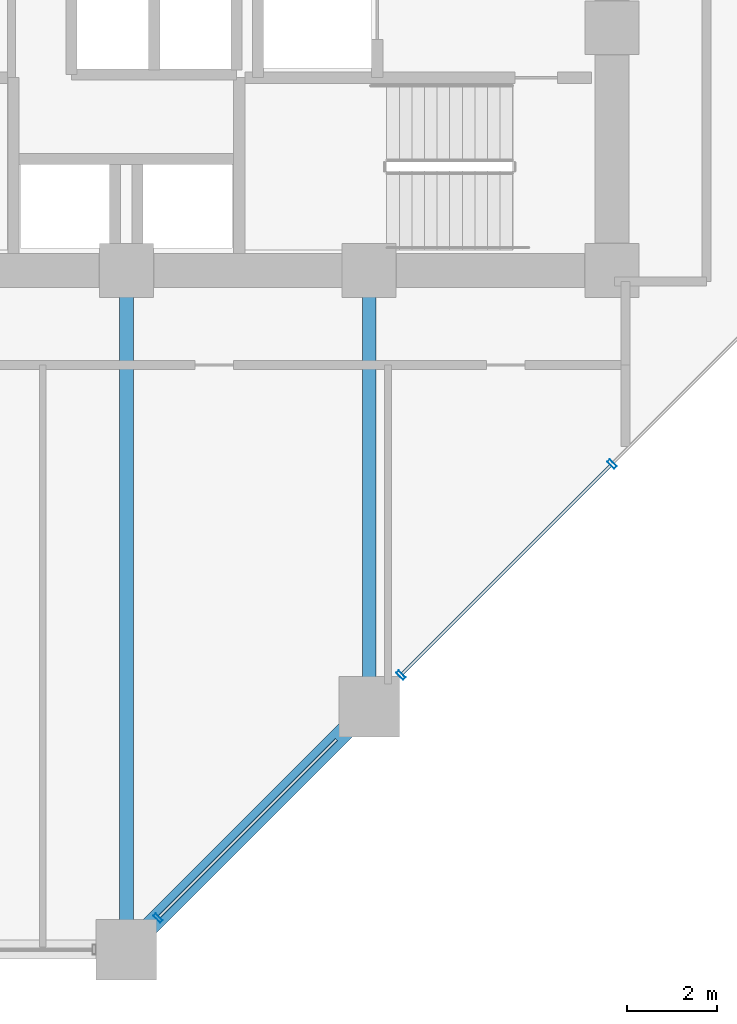
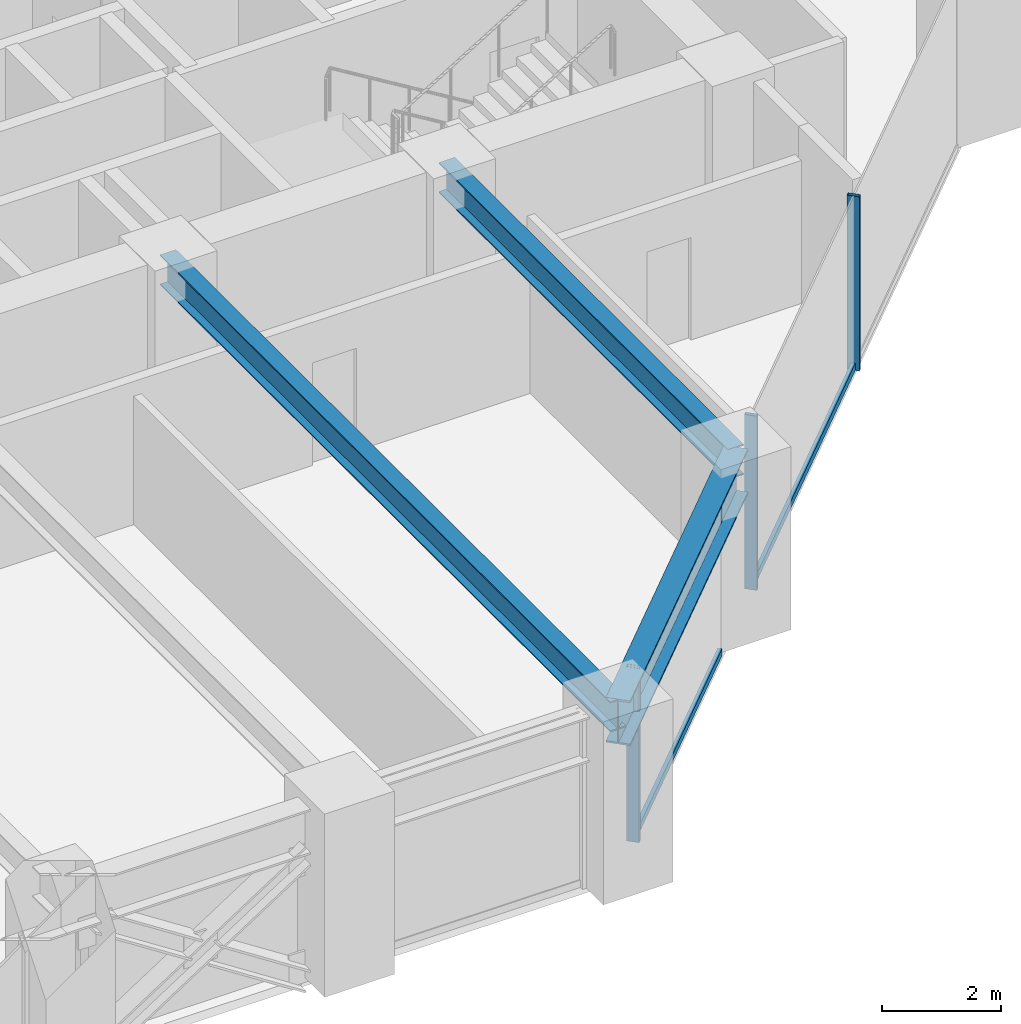
# One storey, part 7 of 25: 5 members, 3 beams, 1 element without a shape of its own.
"""IFC4 building model written with IfcOpenShell, lengths in metres."""

from ifc_helpers import new_model, si_unit, direction, frame, origin, origin_2d, place, context, subcontext, project, spatial, hollow_rectangle, i_section, extrude, material, layer, layer_set, material_profile, profile_set, type_object, element, aggregate, save


model = new_model("IFC4")

# Units and contexts
model_context = context("Model", 3, precision=1e-05, world=origin(), true_north=direction((0.0, 1.0)))
body_context = subcontext(model_context, "Body", "Model", "MODEL_VIEW")
ifc_project = project(units=[si_unit("LENGTHUNIT", "METRE"), si_unit("AREAUNIT", "SQUARE_METRE"), si_unit("VOLUMEUNIT", "CUBIC_METRE"), si_unit("PLANEANGLEUNIT", "RADIAN"), si_unit("MASSUNIT", "GRAM", prefix="KILO")], contexts=[model_context])

# Site, building, storey
site_placement = place(None, origin())
site = spatial("IfcSite", under=ifc_project, at=site_placement, CompositionType="ELEMENT")
building_placement = place(site_placement, origin())
building = spatial("IfcBuilding", under=site, at=building_placement, Name="Surkhivell Harbour Commons", CompositionType="ELEMENT")
storey_placement = place(building_placement, frame((0.0, 0.0, 45.0)))
storey = spatial("IfcBuildingStorey", under=building, at=storey_placement, Name="L11", CompositionType="ELEMENT", Elevation=45.0)

# Beams
ifc_material_1 = material(Name="Steel S355", Category="steel")
ifc_material_profile_1 = material_profile(ifc_material_1, i_section(OverallWidth=0.306884765625, OverallDepth=0.6201171875, WebThickness=0.01416015625, FlangeThickness=0.023681640625, at=origin_2d()), Name="UB610x305x179")
ifc_profile_set_1 = profile_set([ifc_material_profile_1], Name="Steel S355")
beam_type_1 = type_object("IfcBeamType", Name="BM-GRD-610A", PredefinedType="BEAM", material=ifc_profile_set_1)
beam_1_placement = place(storey_placement, frame((0.0, -25.89990234375, 3.260009765625), z_axis=(0.0, 1.0, 0.0), x_axis=(-1.0, 0.0, 0.0)))
element("IfcBeam", 1, at=beam_1_placement, inside=storey, type_object=beam_type_1, Name="L11 Floor Girder (0.0,-25.9)", PredefinedType="BEAM", context=body_context, shape_type="SweptSolid", body=[
    extrude(i_section(OverallWidth=0.306884765625, OverallDepth=0.6201171875, WebThickness=0.01416015625, FlangeThickness=0.023681640625, at=origin_2d()), origin(), (0.0, 0.0, 1.0), 15.099853515625),
])
beam_2_placement = place(storey_placement, frame((5.39990234375, -20.5, 3.260009765625), z_axis=(0.0, 1.0, 0.0), x_axis=(-1.0, 0.0, 0.0)))
element("IfcBeam", 2, at=beam_2_placement, inside=storey, type_object=beam_type_1, Name="L11 Floor Girder (5.4,-20.5)", PredefinedType="BEAM", context=body_context, shape_type="SweptSolid", body=[
    extrude(i_section(OverallWidth=0.306884765625, OverallDepth=0.6201171875, WebThickness=0.01416015625, FlangeThickness=0.023681640625, at=origin_2d()), origin(), (0.0, 0.0, 1.0), 9.699951171875),
])
ifc_material_2 = material(Name="Steel S460", Category="steel")
ifc_material_profile_2 = material_profile(ifc_material_2, i_section(OverallWidth=0.419921875, OverallDepth=0.9208984375, WebThickness=0.021484375, FlangeThickness=0.03662109375, at=origin_2d()), Name="UB914x419x388")
ifc_profile_set_2 = profile_set([ifc_material_profile_2], Name="Steel S460")
beam_type_2 = type_object("IfcBeamType", Name="BM-SPN-914A", PredefinedType="SPANDREL", material=ifc_profile_set_2)
beam_3_placement = place(storey_placement, frame((0.0, -25.89990234375, 3.109619140625), z_axis=(0.707106781187, 0.707106781187, 0.0), x_axis=(-0.707106781187, 0.707106781187, 0.0)))
element("IfcBeam", 3, at=beam_3_placement, inside=storey, type_object=beam_type_2, Name="L11 Tube Spandrel (-0.0,-25.9)", PredefinedType="SPANDREL", context=body_context, shape_type="SweptSolid", body=[
    extrude(i_section(OverallWidth=0.419921875, OverallDepth=0.9208984375, WebThickness=0.021484375, FlangeThickness=0.03662109375, at=origin_2d()), origin(), (0.0, 0.0, 1.0), 7.63671875),
])

# Curtain wall, members
ifc_material_3 = material(Name="Anodised pale-metal aluminium and insulated glazing", Category="aluminium")
ifc_layer = layer(ifc_material_3, 0.219970703125)
ifc_layer_set = layer_set([ifc_layer], Name="Anodised pale-metal aluminium and insulated glazing")
curtain_wall_type = type_object("IfcCurtainWallType", Name="CW-SYS-Z1", PredefinedType="NOTDEFINED", material=ifc_layer_set)
curtain_wall_placement = place(storey_placement, origin())
curtain_wall = element("IfcCurtainWall", 4, at=curtain_wall_placement, inside=storey, type_object=curtain_wall_type, Name="L11 Curtain Wall CW-L11-E01", PredefinedType="NOTDEFINED")
ifc_material_4 = material(Name="Anodised pale-metal aluminium alloy 6063-T6", Category="aluminium")
ifc_material_profile_3 = material_profile(ifc_material_4, hollow_rectangle(XDim=0.074951171875, YDim=0.219970703125, WallThickness=0.00390625, at=origin_2d()), Name="ALU-MULL-75x220")
ifc_profile_set_3 = profile_set([ifc_material_profile_3], Name="Anodised pale-metal aluminium alloy 6063-T6")
member_type_1 = type_object("IfcMemberType", Name="CWM-220", PredefinedType="MULLION", material=ifc_profile_set_3)
member_1_placement = place(storey_placement, frame((0.703369140625, -25.19677734375, 0.0), z_axis=(0.0, 0.0, 1.0), x_axis=(0.707106781187, 0.707106781187, 0.0)))
member_1 = element("IfcMember", 5, at=member_1_placement, type_object=member_type_1, Name="CW-Z1 mullion 1", PredefinedType="MULLION", context=body_context, shape_type="SweptSolid", body=[
    extrude(hollow_rectangle(XDim=0.074951171875, YDim=0.219970703125, WallThickness=0.00390625, at=origin_2d()), origin(), (0.0, 0.0, 1.0), 3.570068359375),
])
member_2_placement = place(storey_placement, frame((6.103271484375, -19.796630859375, 0.0), z_axis=(0.0, 0.0, 1.0), x_axis=(0.707106781187, 0.707106781187, 0.0)))
member_2 = element("IfcMember", 6, at=member_2_placement, type_object=member_type_1, Name="CW-Z1 mullion 2", PredefinedType="MULLION", context=body_context, shape_type="SweptSolid", body=[
    extrude(hollow_rectangle(XDim=0.074951171875, YDim=0.219970703125, WallThickness=0.00390625, at=origin_2d()), origin(), (0.0, 0.0, 1.0), 3.570068359375),
])
member_3_placement = place(storey_placement, frame((10.800048828125, -15.10009765625, 0.0), z_axis=(0.0, 0.0, 1.0), x_axis=(0.707106781187, 0.707106781187, 0.0)))
member_3 = element("IfcMember", 7, at=member_3_placement, type_object=member_type_1, Name="CW-Z1 mullion 3", PredefinedType="MULLION", context=body_context, shape_type="SweptSolid", body=[
    extrude(hollow_rectangle(XDim=0.074951171875, YDim=0.219970703125, WallThickness=0.00390625, at=origin_2d()), origin(), (0.0, 0.0, 1.0), 3.570068359375),
])
ifc_material_profile_4 = material_profile(ifc_material_4, hollow_rectangle(XDim=0.074951171875, YDim=0.14990234375, WallThickness=0.00341796875, at=origin_2d()), Name="ALU-TRAN-75x150")
ifc_profile_set_4 = profile_set([ifc_material_profile_4], Name="Anodised pale-metal aluminium alloy 6063-T6")
member_type_2 = type_object("IfcMemberType", Name="CWT-150", PredefinedType="USERDEFINED", material=ifc_profile_set_4)
member_4_placement = place(storey_placement, frame((0.729736328125, -25.170166015625, 0.074951171875), z_axis=(0.707106781187, 0.707106781187, 0.0), x_axis=(-0.707106781187, 0.707106781187, 0.0)))
member_4 = element("IfcMember", 8, at=member_4_placement, type_object=member_type_2, Name="CW-Z1 transom 1.1", ObjectType="TRANSOM", PredefinedType="USERDEFINED", context=body_context, shape_type="SweptSolid", body=[
    extrude(hollow_rectangle(XDim=0.074951171875, YDim=0.14990234375, WallThickness=0.00341796875, at=origin_2d()), origin(), (0.0, 0.0, 1.0), 5.572509765625),
])
member_5_placement = place(storey_placement, frame((6.1298828125, -19.770263671875, 0.074951171875), z_axis=(0.707088192925, 0.70712536896, 0.0), x_axis=(-0.70712536896, 0.707088192925, 0.0)))
member_5 = element("IfcMember", 9, at=member_5_placement, type_object=member_type_2, Name="CW-Z1 transom 2.1", ObjectType="TRANSOM", PredefinedType="USERDEFINED", context=body_context, shape_type="SweptSolid", body=[
    extrude(hollow_rectangle(XDim=0.074951171875, YDim=0.14990234375, WallThickness=0.00341796875, at=origin_2d()), origin(), (0.0, 0.0, 1.0), 6.567138671875),
])
aggregate(curtain_wall, [member_1, member_4, member_2, member_3, member_5])

save(model, "model.ifc")
